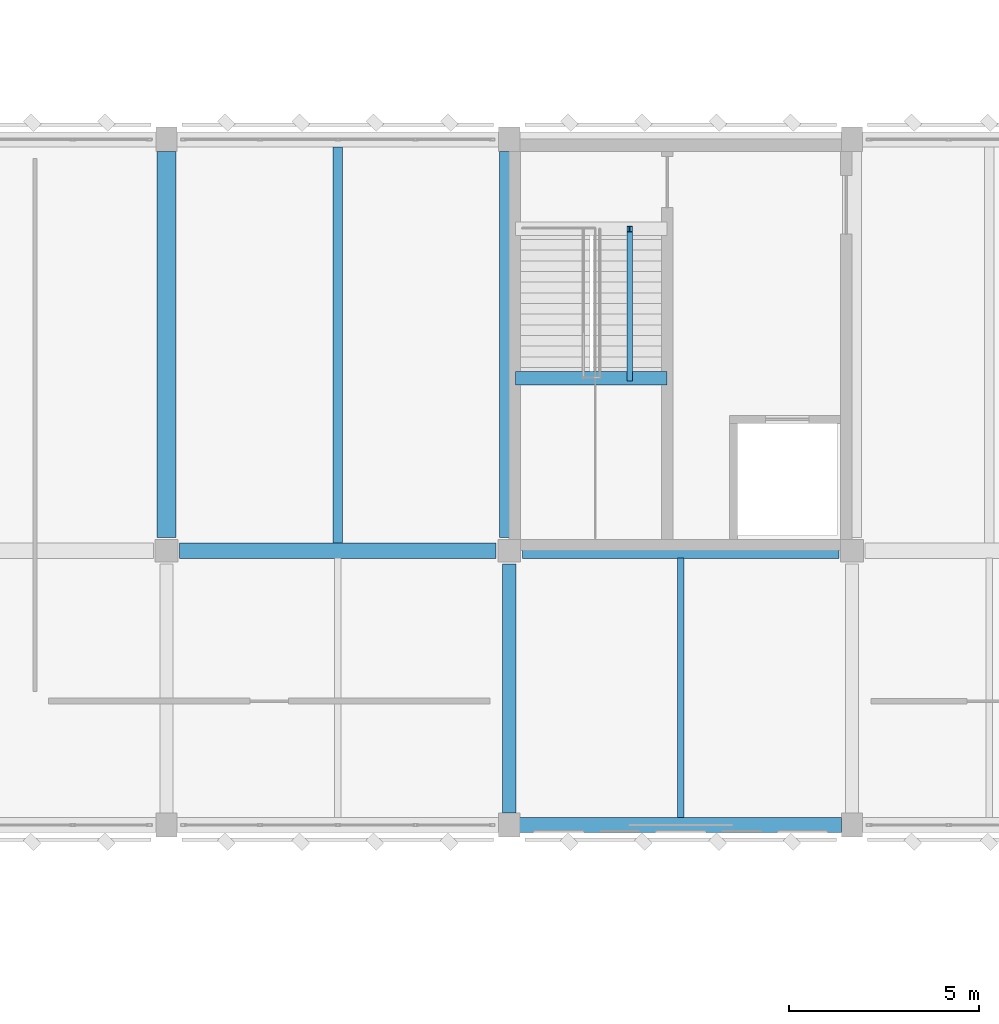
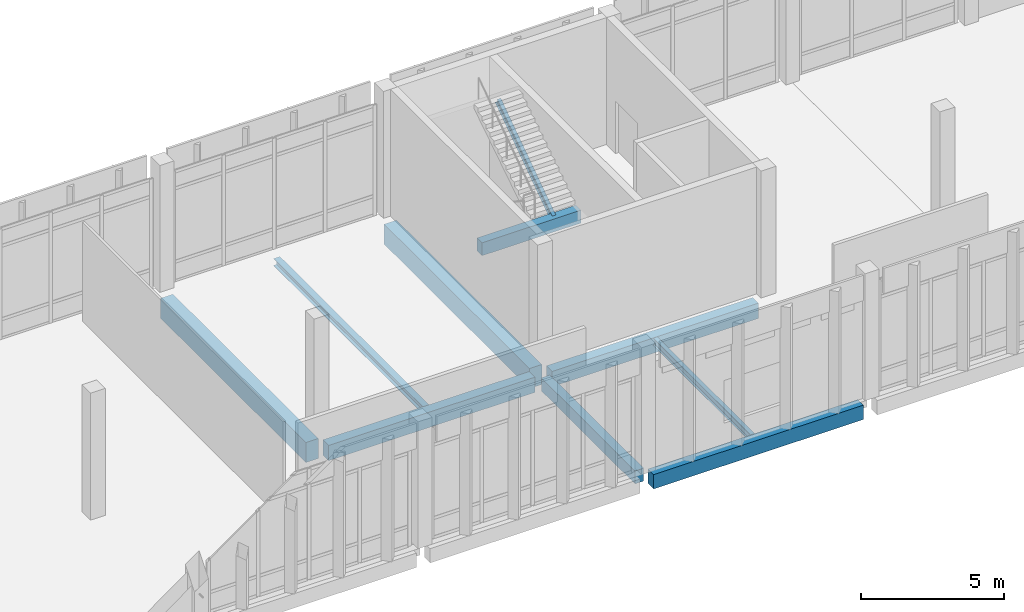
# One storey, part 89 of 180: 10 beams.
"""IFC4 building model written with IfcOpenShell, lengths in metres."""

import ifcopenshell
import ifcopenshell.guid

model = None  # the IFC model being written
_history = None  # IfcOwnerHistory: only IFC2X3 demands one
_inside = {}  # id of a spatial element -> (the spatial element, [elements in it])
_under = {}  # id of a project, library or spatial element -> (it, [spatial elements below it])
_declared = {}  # id of a project -> (the project, [libraries it declares])
_typed = {}  # id of a type object -> (the type object, [elements of that type])
_made_of = {}  # id of a material, layer set ... -> (it, [elements and type objects made of it])


def new_model(schema):
    """Start an empty IFC model of exactly this schema.

    Asked for "IFC4X3", IfcOpenShell would pick the latest addendum, in which some entities
    have other attributes; the version numbers below select the first issue.
    IFC2X3 requires an IfcOwnerHistory on every rooted entity: one is made here for all.
    """
    global model, _history
    if schema == "IFC4X3":
        model = ifcopenshell.file(schema_version=(4, 3, 0, 0))
    else:
        model = ifcopenshell.file(schema=schema)
    _inside.clear()
    _under.clear()
    _declared.clear()
    _typed.clear()
    _made_of.clear()
    _history = None
    if model.schema == "IFC2X3":
        org = make("IfcOrganization", Name="unknown")
        user = make(
            "IfcPersonAndOrganization",
            ThePerson=make("IfcPerson", FamilyName="unknown"),
            TheOrganization=org,
        )
        app = make(
            "IfcApplication",
            ApplicationDeveloper=org,
            Version="unknown",
            ApplicationFullName="unknown",
            ApplicationIdentifier="unknown",
        )
        _history = make(
            "IfcOwnerHistory",
            OwningUser=user,
            OwningApplication=app,
            ChangeAction="ADDED",
            CreationDate=0,
        )
    return model


def make(cls, **values):
    """One entity of the class cls with the attributes given. An attribute that is None is left unset."""
    return model.create_entity(
        cls, **{name: value for name, value in values.items() if value is not None}
    )


def rooted(cls, **values):
    """An entity with a GlobalId (a new one), such as an element, a storey or a relation."""
    return make(cls, GlobalId=ifcopenshell.guid.new(), OwnerHistory=_history, **values)


def si_unit(unit_type, name, prefix=None):
    """IfcSIUnit, for example si_unit("LENGTHUNIT", "METRE", prefix="MILLI")."""
    return make("IfcSIUnit", UnitType=unit_type, Prefix=prefix, Name=name)


def assignment(units):
    """IfcUnitAssignment: the units of a project."""
    return None if units is None else make("IfcUnitAssignment", Units=units)


def point(xyz):
    """IfcCartesianPoint."""
    return None if xyz is None else make("IfcCartesianPoint", Coordinates=xyz)


def direction(xyz):
    """IfcDirection."""
    return None if xyz is None else make("IfcDirection", DirectionRatios=xyz)


def frame(location, z_axis=None, x_axis=None):
    """IfcAxis2Placement3D, a coordinate frame: its origin and axes. An axis left out is left unset."""
    return make(
        "IfcAxis2Placement3D",
        Location=point(location),
        Axis=direction(z_axis),
        RefDirection=direction(x_axis),
    )


def frame_2d(location, x_axis=None):
    """IfcAxis2Placement2D, a coordinate frame in the plane: its origin and x axis."""
    return make(
        "IfcAxis2Placement2D", Location=point(location), RefDirection=direction(x_axis)
    )


def origin():
    """The frame at (0, 0, 0) with its axes left unset."""
    return frame((0.0, 0.0, 0.0))


def origin_2d():
    """The frame at (0, 0) in the plane with its x axis left unset."""
    return frame_2d((0.0, 0.0))


def place(relative_to, where):
    """IfcLocalPlacement: puts the frame where relative to a parent placement (None: the world)."""
    return make(
        "IfcLocalPlacement", PlacementRelTo=relative_to, RelativePlacement=where
    )


def context(
    kind, dimensions, precision=None, world=None, true_north=None, identifier=None
):
    """IfcGeometricRepresentationContext, for example the 3D "Model" context."""
    return make(
        "IfcGeometricRepresentationContext",
        ContextIdentifier=identifier,
        ContextType=kind,
        CoordinateSpaceDimension=dimensions,
        Precision=precision,
        WorldCoordinateSystem=world,
        TrueNorth=true_north,
    )


def subcontext(parent, identifier, kind, view, scale=None):
    """IfcGeometricRepresentationSubContext, for example "Body" below "Model"."""
    return make(
        "IfcGeometricRepresentationSubContext",
        ContextIdentifier=identifier,
        ContextType=kind,
        ParentContext=parent,
        TargetScale=scale,
        TargetView=view,
    )


def project(units=None, contexts=None):
    """IfcProject with its units and contexts."""
    return rooted(
        "IfcProject",
        Name="project",
        RepresentationContexts=contexts,
        UnitsInContext=assignment(units),
    )


def spatial(cls, under=None, at=None, **own):
    """A site, building, storey or space (cls), placed at a placement, below another one or the project."""
    s = rooted(cls, ObjectPlacement=at, **own)
    if under is not None:
        _under.setdefault(under.id(), (under, []))[1].append(s)
    return s


def profile(cls, at=None, kind="AREA", **sizes):
    """A parametric profile (cls). Its sizes go by their IFC names, for example OverallWidth=200.0."""
    return make(cls, ProfileType=kind, Position=at, **sizes)


def rectangle(**sizes):
    """IfcRectangleProfileDef."""
    return profile("IfcRectangleProfileDef", **sizes)


def i_section(**sizes):
    """IfcIShapeProfileDef."""
    return profile("IfcIShapeProfileDef", **sizes)


def extrude(swept, where, along, depth):
    """IfcExtrudedAreaSolid: the profile swept, set in the frame where, extruded along a direction by depth."""
    return make(
        "IfcExtrudedAreaSolid",
        SweptArea=swept,
        Position=where,
        ExtrudedDirection=direction(along),
        Depth=depth,
    )


def shape(context_of_items, identifier, shape_type, items):
    """IfcShapeRepresentation: the items that make up one representation, for example the "Body"."""
    return make(
        "IfcShapeRepresentation",
        ContextOfItems=context_of_items,
        RepresentationIdentifier=identifier,
        RepresentationType=shape_type,
        Items=items,
    )


def material(Name=None, Category=None):
    """IfcMaterial."""
    return make("IfcMaterial", Name=Name, Category=Category)


def material_profile(
    of_material, cross_section, Name=None, Category=None, Priority=None
):
    """IfcMaterialProfile: a cross section and its material."""
    return make(
        "IfcMaterialProfile",
        Name=Name,
        Material=of_material,
        Profile=cross_section,
        Priority=Priority,
        Category=Category,
    )


def profile_set(profiles, Name=None, composite=None):
    """IfcMaterialProfileSet."""
    return make(
        "IfcMaterialProfileSet",
        Name=Name,
        MaterialProfiles=profiles,
        CompositeProfile=composite,
    )


def made_of(thing, what):
    """Note that an element or type object is made of a material, layer set ...; save() writes the relation."""
    if what is not None:
        _made_of.setdefault(what.id(), (what, []))[1].append(thing)
    return thing


def type_object(cls, material=None, **own):
    """A type object (cls), such as IfcWallType, which elements share."""
    return made_of(rooted(cls, **own), material)


def element(
    cls,
    number,
    at=None,
    inside=None,
    cuts=None,
    type_object=None,
    material=None,
    context=None,
    identifier="Body",
    shape_type=None,
    held_by="IfcProductDefinitionShape",
    body=None,
    shapes=None,
    **own,
):
    """One element of the class cls, such as IfcWall. Its Tag is "e" and its number.

    at: its placement. inside: the storey or other place that contains it. cuts: it is an
    opening in that element (IfcRelVoidsElement). A single representation is given by context,
    identifier, shape_type and body (its items); several are given by shapes. held_by: the class
    of the entity that holds the representations. save() writes the other relations.
    """
    e = rooted(cls, Tag="e%d" % number, ObjectPlacement=at, **own)
    if body is not None:
        shapes = [shape(context, identifier, shape_type, body)]
    if shapes is not None:
        e.Representation = make(held_by, Representations=shapes)
    if inside is not None:
        _inside.setdefault(inside.id(), (inside, []))[1].append(e)
    if cuts is not None:
        rooted(
            "IfcRelVoidsElement", RelatingBuildingElement=cuts, RelatedOpeningElement=e
        )
    if type_object is not None:
        _typed.setdefault(type_object.id(), (type_object, []))[1].append(e)
    return made_of(e, material)


def aggregate(whole, parts):
    """IfcRelAggregates: a whole, such as a stair, and the parts it consists of."""
    return rooted("IfcRelAggregates", RelatingObject=whole, RelatedObjects=parts)


def save(model, path):
    """Write the relations noted so far, then the file.

    IfcRelAggregates (storeys below a building ...), IfcRelContainedInSpatialStructure (elements
    in a storey), IfcRelDefinesByType, IfcRelAssociatesMaterial and IfcRelDeclares: one each for
    every whole, place, type object, material and project.
    """
    for whole, parts in _under.values():
        aggregate(whole, parts)
    for where, things in _inside.values():
        rooted(
            "IfcRelContainedInSpatialStructure",
            RelatedElements=things,
            RelatingStructure=where,
        )
    for kind, things in _typed.values():
        rooted("IfcRelDefinesByType", RelatedObjects=things, RelatingType=kind)
    for what, things in _made_of.values():
        rooted("IfcRelAssociatesMaterial", RelatedObjects=things, RelatingMaterial=what)
    for by, libraries in _declared.values():
        rooted("IfcRelDeclares", RelatingContext=by, RelatedDefinitions=libraries)
    model.write(path)


model = new_model("IFC4")

# Units and contexts
model_context = context("Model", 3, precision=1e-05, world=origin(), true_north=direction((0.0, 1.0)))
body_context = subcontext(model_context, "Body", "Model", "MODEL_VIEW")
ifc_project = project(units=[si_unit("LENGTHUNIT", "METRE"), si_unit("AREAUNIT", "SQUARE_METRE"), si_unit("VOLUMEUNIT", "CUBIC_METRE"), si_unit("PLANEANGLEUNIT", "RADIAN"), si_unit("MASSUNIT", "GRAM", prefix="KILO")], contexts=[model_context])

# Site, building, storey
site_placement = place(None, origin())
site = spatial("IfcSite", under=ifc_project, at=site_placement, CompositionType="ELEMENT")
building_placement = place(site_placement, origin())
building = spatial("IfcBuilding", under=site, at=building_placement, Name="Lusvemor Sports Hall", CompositionType="ELEMENT")
storey_placement = place(building_placement, frame((0.0, 0.0, 5.39990234375)))
storey = spatial("IfcBuildingStorey", under=building, at=storey_placement, Name="L01", CompositionType="ELEMENT", Elevation=5.39990234375)

# Beams
ifc_material_1 = material(Name="Concrete C40/50", Category="concrete")
ifc_material_profile_1 = material_profile(ifc_material_1, rectangle(XDim=0.35009765625, YDim=0.550048828125, at=origin_2d()), Name="RC350x550")
ifc_profile_set_1 = profile_set([ifc_material_profile_1], Name="Concrete C40/50")
beam_type_1 = type_object("IfcBeamType", Name="BEAM_RC_550", PredefinedType="BEAM", material=ifc_profile_set_1)
beam_1_placement = place(storey_placement, frame((102.60009765625, 97.51611328125, -0.534912109375), z_axis=(0.0, 1.0, 0.0), x_axis=(-1.0, 0.0, 0.0)))
element("IfcBeam", 1, at=beam_1_placement, inside=storey, type_object=beam_type_1, Name="Beam L01 11:N-P", PredefinedType="BEAM", context=body_context, shape_type="SweptSolid", body=[
    extrude(rectangle(XDim=0.35009765625, YDim=0.550048828125, at=origin_2d()), origin(), (0.0, 0.0, 1.0), 6.537841796875),
])
beam_2_placement = place(storey_placement, frame((102.760009765625, 108.929931640625, 2.2451171875), z_axis=(1.0, 0.0, 0.0), x_axis=(0.0, 1.0, 0.0)))
element("IfcBeam", 2, at=beam_2_placement, inside=storey, type_object=beam_type_1, Name="Stair STR-C4-L01 Mid-Landing Beam", PredefinedType="BEAM", context=body_context, shape_type="SweptSolid", body=[
    extrude(rectangle(XDim=0.35009765625, YDim=0.550048828125, at=origin_2d()), origin(), (0.0, 0.0, 1.0), 3.97998046875),
])
ifc_material_2 = material(Name="Concrete C40/50", Category="concrete")
ifc_material_profile_2 = material_profile(ifc_material_2, rectangle(XDim=0.39990234375, YDim=0.64990234375, at=origin_2d()), Name="RC400x650")
ifc_profile_set_2 = profile_set([ifc_material_profile_2], Name="Concrete C40/50")
beam_type_2 = type_object("IfcBeamType", Name="BEAM_RC_650", PredefinedType="BEAM", material=ifc_profile_set_2)
for number, where, z_axis, x_axis, name in (
    (3, (93.946044921875, 104.39990234375, -0.5849609375), (1.0, 0.0, 0.0), (0.0, 1.0, 0.0), "Beam L01 P:10-11"),
    (4, (102.946044921875, 104.39990234375, -0.5849609375), (1.0, 0.0, 0.0), (0.0, 1.0, 0.0), "Beam L01 P:11-12"),
):
    element("IfcBeam", number, at=place(storey_placement, frame(where, z_axis=z_axis, x_axis=x_axis)), inside=storey, type_object=beam_type_2, Name=name, PredefinedType="BEAM", context=body_context, shape_type="SweptSolid", body=[
        extrude(rectangle(XDim=0.39990234375, YDim=0.64990234375, at=origin_2d()), origin(), (0.0, 0.0, 1.0), 8.307861328125),
    ])
ifc_material_3 = material(Name="Concrete C40/50", Category="concrete")
ifc_material_profile_3 = material_profile(ifc_material_3, rectangle(XDim=0.5, YDim=0.85009765625, at=origin_2d()), Name="RC500x850")
ifc_profile_set_3 = profile_set([ifc_material_profile_3], Name="Concrete C40/50")
beam_type_3 = type_object("IfcBeamType", Name="GIRD_RC_850", PredefinedType="T_BEAM", material=ifc_profile_set_3)
for number, where, z_axis, x_axis, name in (
    (5, (93.60009765625, 104.74609375, -0.684814453125), (0.0, 1.0, 0.0), (-1.0, 0.0, 0.0), "Beam L01 10:P-Q"),
    (6, (102.60009765625, 104.74609375, -0.684814453125), (0.0, 1.0, 0.0), (-1.0, 0.0, 0.0), "Beam L01 11:P-Q"),
):
    element("IfcBeam", number, at=place(storey_placement, frame(where, z_axis=z_axis, x_axis=x_axis)), inside=storey, type_object=beam_type_3, Name=name, PredefinedType="T_BEAM", context=body_context, shape_type="SweptSolid", body=[
        extrude(rectangle(XDim=0.5, YDim=0.85009765625, at=origin_2d()), origin(), (0.0, 0.0, 1.0), 10.137939453125),
    ])
ifc_material_4 = material(Name="Steel S355", Category="steel")
ifc_material_profile_4 = material_profile(ifc_material_4, i_section(OverallWidth=0.14794921875, OverallDepth=0.26611328125, WebThickness=0.007568359375, FlangeThickness=0.012939453125, FilletRadius=0.012939453125, at=origin_2d()), Name="W250x44.8")
ifc_profile_set_4 = profile_set([ifc_material_profile_4], Name="Steel S355")
beam_type_4 = type_object("IfcBeamType", Name="JOIST_ST_250M", PredefinedType="JOIST", material=ifc_profile_set_4)
beam_3_placement = place(storey_placement, frame((105.760009765625, 108.929931640625, 2.35498046875), z_axis=(0.0, 0.82354327477, 0.567253448276), x_axis=(-1.0, 0.0, 0.0)))
element("IfcBeam", 7, at=beam_3_placement, inside=storey, type_object=beam_type_4, Name="Stair STR-C4-L01 Flight 2 Stringer Beam", PredefinedType="JOIST", context=body_context, shape_type="SweptSolid", body=[
    extrude(i_section(OverallWidth=0.14794921875, OverallDepth=0.26611328125, WebThickness=0.007568359375, FlangeThickness=0.012939453125, FilletRadius=0.012939453125, at=origin_2d()), origin(), (0.0, 0.0, 1.0), 4.760009765625),
])
ifc_material_5 = material(Name="Steel S355", Category="steel")
ifc_material_profile_5 = material_profile(ifc_material_5, i_section(OverallWidth=0.25390625, OverallDepth=0.305908203125, WebThickness=0.0087890625, FlangeThickness=0.0146484375, FilletRadius=0.014892578125, at=origin_2d()), Name="W310x79.0")
ifc_profile_set_5 = profile_set([ifc_material_profile_5], Name="Steel S355")
beam_type_5 = type_object("IfcBeamType", Name="JOIST_ST_310H", PredefinedType="JOIST", material=ifc_profile_set_5)
beam_4_placement = place(storey_placement, frame((98.10009765625, 104.595947265625, -0.4169921875), z_axis=(0.0, 1.0, 0.0), x_axis=(-1.0, 0.0, 0.0)))
element("IfcBeam", 8, at=beam_4_placement, inside=storey, type_object=beam_type_5, Name="Secondary Joist L01 10-11/P-Q #1", PredefinedType="JOIST", context=body_context, shape_type="SweptSolid", body=[
    extrude(i_section(OverallWidth=0.25390625, OverallDepth=0.305908203125, WebThickness=0.0087890625, FlangeThickness=0.0146484375, FilletRadius=0.014892578125, at=origin_2d()), origin(), (0.0, 0.0, 1.0), 10.407958984375),
])
ifc_material_6 = material(Name="Steel S355", Category="steel")
ifc_material_profile_6 = material_profile(ifc_material_6, i_section(OverallWidth=0.1669921875, OverallDepth=0.31689453125, WebThickness=0.007568359375, FlangeThickness=0.01318359375, FilletRadius=0.014892578125, at=origin_2d()), Name="W310x52.0")
ifc_profile_set_6 = profile_set([ifc_material_profile_6], Name="Steel S355")
beam_type_6 = type_object("IfcBeamType", Name="JOIST_ST_310M", PredefinedType="JOIST", material=ifc_profile_set_6)
beam_5_placement = place(storey_placement, frame((107.10009765625, 97.39599609375, -0.42236328125), z_axis=(0.0, 1.0, 0.0), x_axis=(-1.0, 0.0, 0.0)))
element("IfcBeam", 9, at=beam_5_placement, inside=storey, type_object=beam_type_6, Name="Secondary Joist L01 11-12/N-P #1", PredefinedType="JOIST", context=body_context, shape_type="SweptSolid", body=[
    extrude(i_section(OverallWidth=0.1669921875, OverallDepth=0.31689453125, WebThickness=0.007568359375, FlangeThickness=0.01318359375, FilletRadius=0.014892578125, at=origin_2d()), origin(), (0.0, 0.0, 1.0), 6.80810546875),
])
ifc_material_7 = material(Name="Concrete C40/50", Category="concrete")
ifc_material_profile_7 = material_profile(ifc_material_7, rectangle(XDim=0.39990234375, YDim=0.610107421875, at=origin_2d()), Name="RC400x610")
ifc_profile_set_7 = profile_set([ifc_material_profile_7], Name="Concrete C40/50")
beam_type_7 = type_object("IfcBeamType", Name="SPAND_EXT_650", PredefinedType="SPANDREL", material=ifc_profile_set_7)
beam_6_placement = place(storey_placement, frame((102.8759765625, 97.199951171875, -0.56494140625), z_axis=(1.0, 0.0, 0.0), x_axis=(0.0, 1.0, 0.0)))
element("IfcBeam", 10, at=beam_6_placement, inside=storey, type_object=beam_type_7, Name="Beam L01 N:11-12", PredefinedType="SPANDREL", context=body_context, shape_type="SweptSolid", body=[
    extrude(rectangle(XDim=0.39990234375, YDim=0.610107421875, at=origin_2d()), origin(), (0.0, 0.0, 1.0), 8.447998046875),
])

save(model, "model.ifc")
